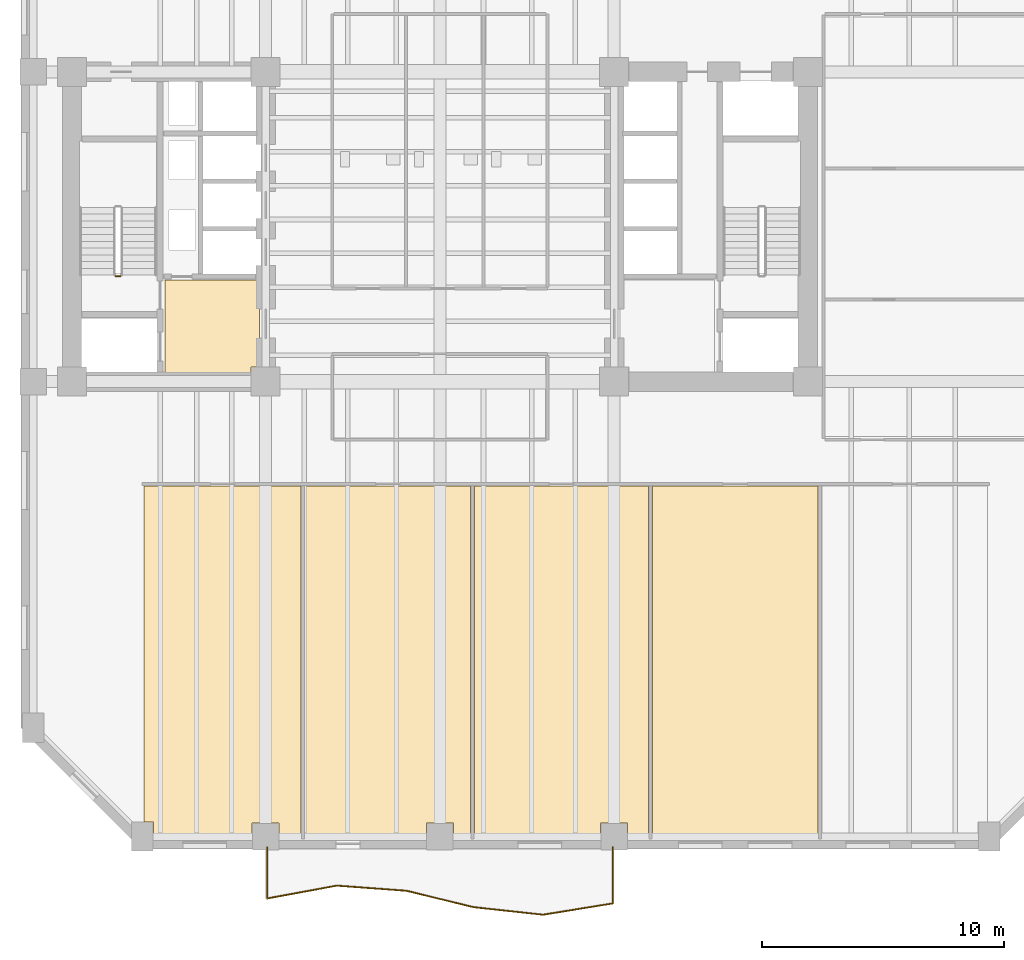
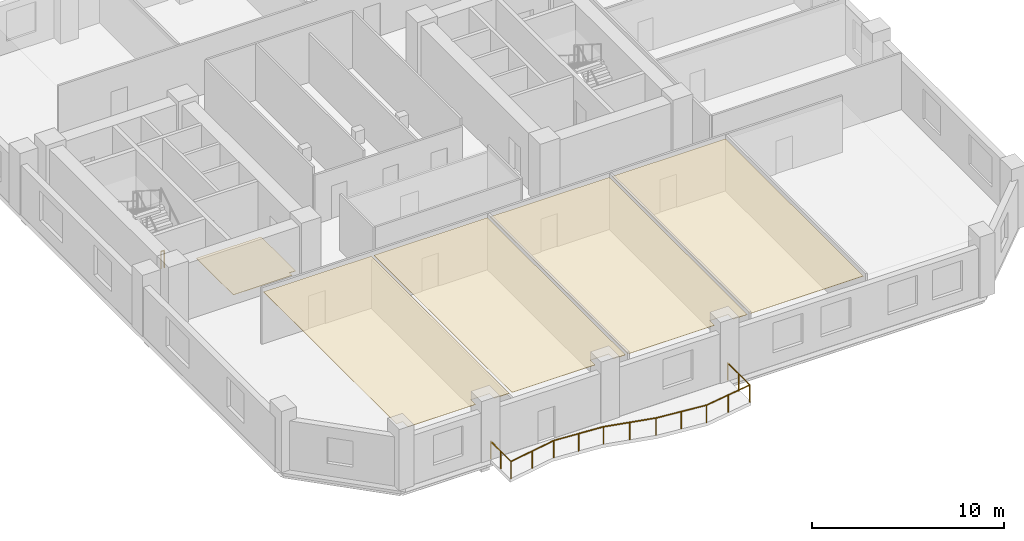
# One storey, part 6 of 9: 5 coverings, 2 railings.
"""IFC4 building model written with IfcOpenShell, lengths in metres."""

from ifc_helpers import new_model, si_unit, direction, frame, origin, origin_2d, place, context, subcontext, project, spatial, polyline, circle, outline, extrude, material, layer, layer_set, type_object, element, save


model = new_model("IFC4")

# Units and contexts
model_context = context("Model", 3, precision=1e-05, world=origin(), true_north=direction((0.0, 1.0)))
body_context = subcontext(model_context, "Body", "Model", "MODEL_VIEW")
ifc_project = project(units=[si_unit("LENGTHUNIT", "METRE"), si_unit("AREAUNIT", "SQUARE_METRE"), si_unit("VOLUMEUNIT", "CUBIC_METRE"), si_unit("PLANEANGLEUNIT", "RADIAN"), si_unit("MASSUNIT", "GRAM", prefix="KILO")], contexts=[model_context])

# Site, building, storey
site_placement = place(None, origin())
site = spatial("IfcSite", under=ifc_project, at=site_placement, CompositionType="ELEMENT")
building_placement = place(site_placement, origin())
building = spatial("IfcBuilding", under=site, at=building_placement, Name="Kranthara Brick Stack", CompositionType="ELEMENT")
storey_placement = place(building_placement, frame((0.0, 0.0, 59.39990234375)))
storey = spatial("IfcBuildingStorey", under=building, at=storey_placement, Name="L14", CompositionType="ELEMENT", Elevation=59.39990234375)

# Coverings
ifc_material_1 = material(Name="Perforated mineral-fibre acoustic ceiling tile", Category="other")
ifc_layer_1 = layer(ifc_material_1, 0.02490234375)
ifc_layer_set_1 = layer_set([ifc_layer_1], Name="Perforated mineral-fibre acoustic ceiling tile")
covering_type_1 = type_object("IfcCoveringType", Name="COV-CEIL-ACOUSTIC", PredefinedType="CEILING", material=ifc_layer_set_1)
covering_1_placement = place(storey_placement, frame((0.0, 0.0, 3.330078125)))
element("IfcCovering", 1, at=covering_1_placement, inside=storey, type_object=covering_type_1, Name="L14 L14 Executive Cellular Office 1 Acoustic Ceiling", PredefinedType="CEILING", context=body_context, shape_type="SweptSolid", body=[
    extrude(outline(polyline([(22.27001953125, 16.47998046875), (22.27001953125, 2.070068359375), (21.360107421875, 2.070068359375), (21.360107421875, 2.56005859375), (20.239990234375, 2.56005859375), (20.239990234375, 2.070068359375), (16.159912109375, 2.070068359375), (16.159912109375, 2.610107421875), (15.780029296875, 2.610107421875), (15.780029296875, 16.47998046875), (22.27001953125, 16.47998046875)])), origin(), (0.0, 0.0, 1.0), 0.02490234375),
])
covering_2_placement = place(storey_placement, frame((0.0, 0.0, 3.330078125)))
element("IfcCovering", 2, at=covering_2_placement, inside=storey, type_object=covering_type_1, Name="L14 L14 Executive Cellular Office 2 Acoustic Ceiling", PredefinedType="CEILING", context=body_context, shape_type="SweptSolid", body=[
    extrude(outline(polyline([(22.429931640625, 2.070068359375), (22.429931640625, 16.47998046875), (29.27001953125, 16.47998046875), (29.27001953125, 2.070068359375), (28.56005859375, 2.070068359375), (28.56005859375, 2.56005859375), (27.43994140625, 2.56005859375), (27.43994140625, 2.070068359375), (22.429931640625, 2.070068359375)])), origin(), (0.0, 0.0, 1.0), 0.02490234375),
])
covering_3_placement = place(storey_placement, frame((0.0, 0.0, 3.330078125)))
element("IfcCovering", 3, at=covering_3_placement, inside=storey, type_object=covering_type_1, Name="L14 L14 Executive Cellular Office 3 Acoustic Ceiling", PredefinedType="CEILING", context=body_context, shape_type="SweptSolid", body=[
    extrude(outline(polyline([(29.429931640625, 2.070068359375), (29.429931640625, 16.47998046875), (36.6201171875, 16.47998046875), (36.6201171875, 2.070068359375), (35.760009765625, 2.070068359375), (35.760009765625, 2.56005859375), (34.639892578125, 2.56005859375), (34.639892578125, 2.070068359375), (29.429931640625, 2.070068359375)])), origin(), (0.0, 0.0, 1.0), 0.02490234375),
])
covering_4_placement = place(storey_placement, frame((0.0, 0.0, 3.330078125)))
element("IfcCovering", 4, at=covering_4_placement, inside=storey, type_object=covering_type_1, Name="L14 L14 Executive Cellular Office 4 Acoustic Ceiling", PredefinedType="CEILING", context=body_context, shape_type="SweptSolid", body=[
    extrude(outline(polyline([(43.6201171875, 2.070068359375), (43.6201171875, 16.47998046875), (36.780029296875, 16.47998046875), (36.780029296875, 2.070068359375), (43.6201171875, 2.070068359375)])), origin(), (0.0, 0.0, 1.0), 0.02490234375),
])
ifc_material_2 = material(Name="Honed terrazzo and porcelain floor finish", Category="stone")
ifc_layer_2 = layer(ifc_material_2, 0.030029296875)
ifc_layer_set_2 = layer_set([ifc_layer_2], Name="Honed terrazzo and porcelain floor finish")
covering_type_2 = type_object("IfcCoveringType", Name="COV-FLOR-STONE", PredefinedType="FLOORING", material=ifc_layer_set_2)
covering_5_placement = place(storey_placement, origin())
element("IfcCovering", 5, at=covering_5_placement, inside=storey, type_object=covering_type_2, Name="L14 Lift Lobby Stone Flooring", PredefinedType="FLOORING", context=body_context, shape_type="SweptSolid", body=[
    extrude(outline(polyline([(16.64990234375, 21.14990234375), (16.64990234375, 25.0), (20.550048828125, 25.0), (20.550048828125, 21.409912109375), (20.18994140625, 21.409912109375), (20.18994140625, 21.14990234375), (16.64990234375, 21.14990234375)])), origin(), (0.0, 0.0, 1.0), 0.030029296875),
])

# Railings
ifc_material_3 = material(Name="Bronze anodised aluminium and laminated glass balustrade", Category="aluminium")
railing_type_1 = type_object("IfcRailingType", Name="RL-BALC-1120", PredefinedType="BALUSTRADE", material=ifc_material_3)
railing_1_placement = place(storey_placement, frame((35.139892578125, 1.56005859375, 0.0)))
element("IfcRailing", 6, at=railing_1_placement, inside=storey, type_object=railing_type_1, Name="L14 South Rippling Balcony Balustrade", PredefinedType="BALUSTRADE", context=body_context, shape_type="SweptSolid", body=[
    extrude(circle(Radius=0.02392578125, at=origin_2d()), frame((0.0, 0.0, 1.09619140625), z_axis=(0.000210504153, -0.999999977844, 0.0), x_axis=(0.999999977844, 0.000210504153, 0.0)), (0.0, 0.0, 1.0), 2.319580078125),
    extrude(circle(Radius=0.02392578125, at=origin_2d()), frame((0.00048828125, -2.319580078125, 1.09619140625), z_axis=(-0.987051077772, -0.160406265056, 0.0), x_axis=(0.160406265056, -0.987051077772, 0.0)), (0.0, 0.0, 1.0), 2.916259765625),
    extrude(circle(Radius=0.02392578125, at=origin_2d()), frame((-2.8779296875, -2.787353515625, 1.09619140625), z_axis=(-0.994075827008, 0.1086887766, 0.0), x_axis=(-0.1086887766, -0.994075827008, 0.0)), (0.0, 0.0, 1.0), 2.890869140625),
    extrude(circle(Radius=0.02392578125, at=origin_2d()), frame((-5.751708984375, -2.47314453125, 1.09619140625), z_axis=(-0.971517452521, 0.236968013551, 0.0), x_axis=(-0.236968013551, -0.971517452521, 0.0)), (0.0, 0.0, 1.0), 2.849609375),
    extrude(circle(Radius=0.02392578125, at=origin_2d()), frame((-8.520263671875, -1.7978515625, 1.09619140625), z_axis=(-0.997272135942, 0.07381251163, 0.0), x_axis=(-0.07381251163, -0.997272135942, 0.0)), (0.0, 0.0, 1.0), 2.887451171875),
    extrude(circle(Radius=0.02392578125, at=origin_2d()), frame((-11.39990234375, -1.584716796875, 1.09619140625), z_axis=(-0.98341055959, -0.181393691419, 0.0), x_axis=(0.181393691419, -0.98341055959, 0.0)), (0.0, 0.0, 1.0), 2.9287109375),
    extrude(circle(Radius=0.02392578125, at=origin_2d()), frame((-14.280029296875, -2.115966796875, 1.09619140625), z_axis=(0.000115380177, 0.999999993344, 0.0), x_axis=(-0.999999993344, 0.000115380177, 0.0)), (0.0, 0.0, 1.0), 2.115966796875),
    extrude(circle(Radius=0.02099609375, at=origin_2d()), origin(), (0.0, 0.0, 1.0), 1.072021484375),
    extrude(circle(Radius=0.02099609375, at=origin_2d()), frame((0.000244140625, -1.15966796875, 0.0)), (0.0, 0.0, 1.0), 1.072021484375),
    extrude(circle(Radius=0.02099609375, at=origin_2d()), frame((0.00048828125, -2.319580078125, 0.0)), (0.0, 0.0, 1.0), 1.072021484375),
    extrude(circle(Radius=0.02099609375, at=origin_2d()), frame((-1.438720703125, -2.553466796875, 0.0)), (0.0, 0.0, 1.0), 1.072021484375),
    extrude(circle(Radius=0.02099609375, at=origin_2d()), frame((-2.8779296875, -2.787353515625, 0.0)), (0.0, 0.0, 1.0), 1.072021484375),
    extrude(circle(Radius=0.02099609375, at=origin_2d()), frame((-4.31494140625, -2.63037109375, 0.0)), (0.0, 0.0, 1.0), 1.072021484375),
    extrude(circle(Radius=0.02099609375, at=origin_2d()), frame((-5.751708984375, -2.47314453125, 0.0)), (0.0, 0.0, 1.0), 1.072021484375),
    extrude(circle(Radius=0.02099609375, at=origin_2d()), frame((-7.135986328125, -2.135498046875, 0.0)), (0.0, 0.0, 1.0), 1.072021484375),
    extrude(circle(Radius=0.02099609375, at=origin_2d()), frame((-8.520263671875, -1.7978515625, 0.0)), (0.0, 0.0, 1.0), 1.072021484375),
    extrude(circle(Radius=0.02099609375, at=origin_2d()), frame((-9.9599609375, -1.69140625, 0.0)), (0.0, 0.0, 1.0), 1.072021484375),
    extrude(circle(Radius=0.02099609375, at=origin_2d()), frame((-11.39990234375, -1.584716796875, 0.0)), (0.0, 0.0, 1.0), 1.072021484375),
    extrude(circle(Radius=0.02099609375, at=origin_2d()), frame((-12.83984375, -1.850341796875, 0.0)), (0.0, 0.0, 1.0), 1.072021484375),
    extrude(circle(Radius=0.02099609375, at=origin_2d()), frame((-14.280029296875, -2.115966796875, 0.0)), (0.0, 0.0, 1.0), 1.072021484375),
    extrude(circle(Radius=0.02099609375, at=origin_2d()), frame((-14.27978515625, -1.05810546875, 0.0)), (0.0, 0.0, 1.0), 1.072021484375),
    extrude(circle(Radius=0.02099609375, at=origin_2d()), frame((-14.27978515625, 0.0, 0.0)), (0.0, 0.0, 1.0), 1.072021484375),
])
ifc_material_4 = material(Name="Painted galvanized steel stair guardrail", Category="steel")
railing_type_2 = type_object("IfcRailingType", Name="RL-STAIR-GUARD-1100", PredefinedType="GUARDRAIL", material=ifc_material_4)
railing_2_placement = place(storey_placement, frame((14.800048828125, 25.14990234375, 0.0)))
element("IfcRailing", 7, at=railing_2_placement, inside=storey, type_object=railing_type_2, Name="L14 ST01 stair guard 4", PredefinedType="GUARDRAIL", context=body_context, shape_type="SweptSolid", body=[
    extrude(circle(Radius=0.02392578125, at=origin_2d()), frame((0.0, 0.0, 1.076171875), z_axis=(-1.0, 0.0, 0.0), x_axis=(0.0, -1.0, 0.0)), (0.0, 0.0, 1.0), 0.199951171875),
    extrude(circle(Radius=0.02099609375, at=origin_2d()), origin(), (0.0, 0.0, 1.0), 1.052001953125),
    extrude(circle(Radius=0.02099609375, at=origin_2d()), frame((-0.199951171875, 0.0, 0.0)), (0.0, 0.0, 1.0), 1.052001953125),
])

save(model, "model.ifc")
